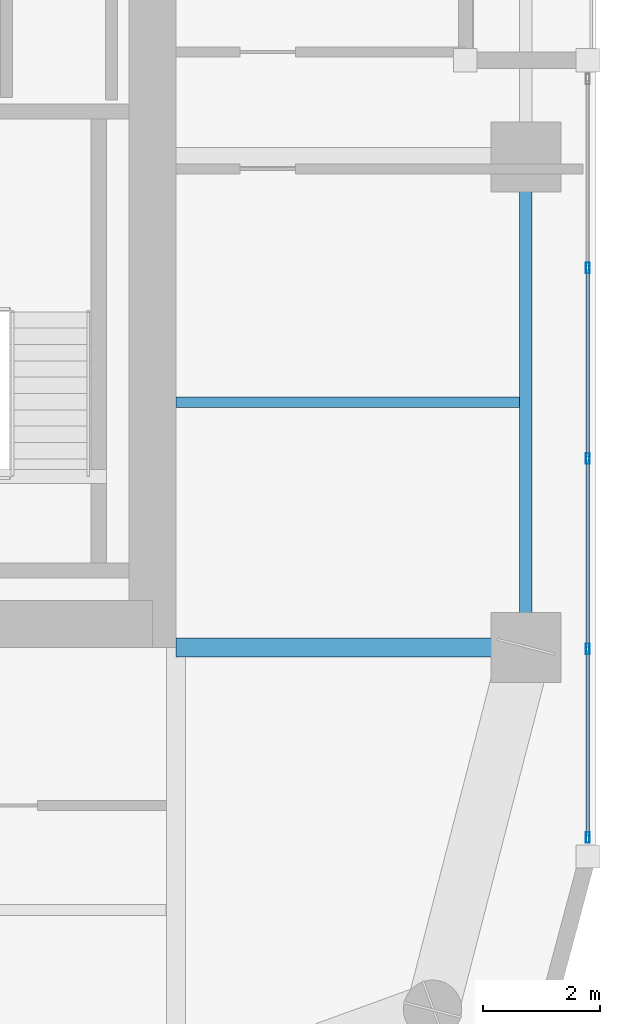
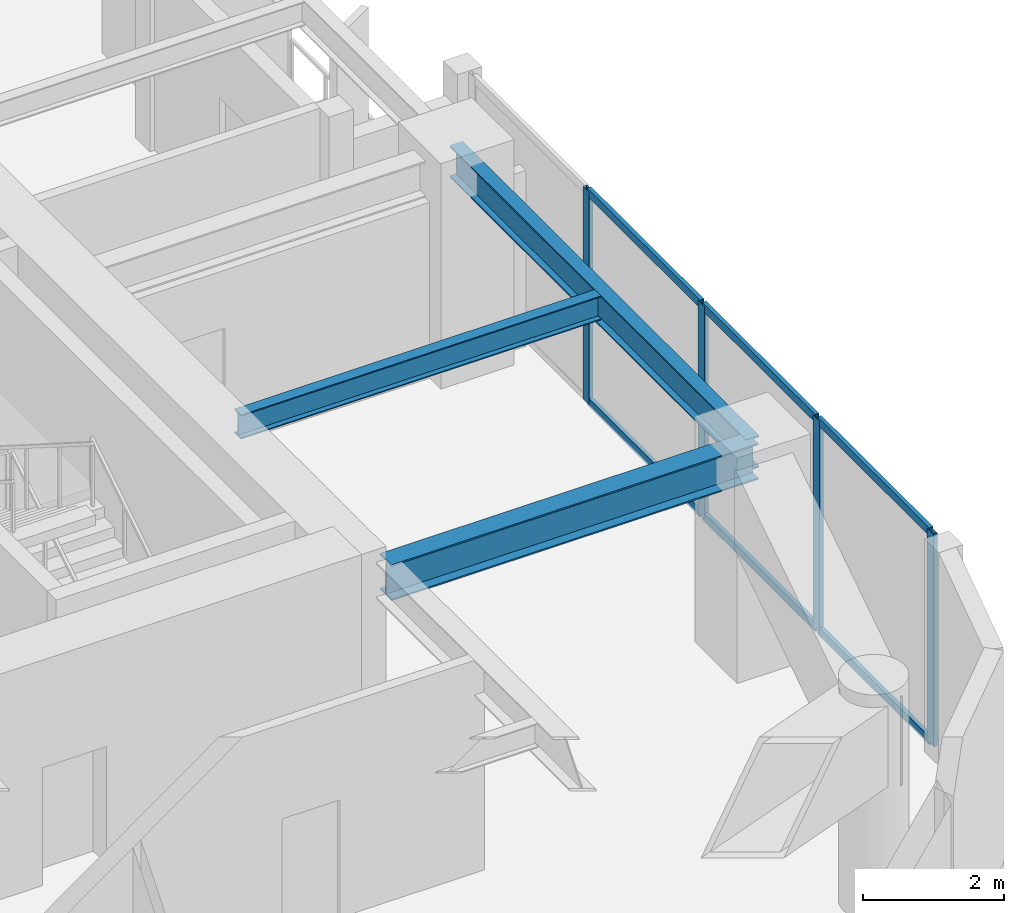
# One storey, part 9 of 30: 10 members, 3 beams, 1 element without a shape of its own.
"""IFC4 building model written with IfcOpenShell, lengths in metres."""

from ifc_helpers import new_model, si_unit, direction, frame, origin, origin_2d, place, context, subcontext, project, spatial, hollow_rectangle, i_section, extrude, material, layer, layer_set, material_profile, profile_set, type_object, element, aggregate, save


model = new_model("IFC4")

# Units and contexts
model_context = context("Model", 3, precision=1e-05, world=origin(), true_north=direction((0.0, 1.0)))
body_context = subcontext(model_context, "Body", "Model", "MODEL_VIEW")
ifc_project = project(units=[si_unit("LENGTHUNIT", "METRE"), si_unit("AREAUNIT", "SQUARE_METRE"), si_unit("VOLUMEUNIT", "CUBIC_METRE"), si_unit("PLANEANGLEUNIT", "RADIAN"), si_unit("MASSUNIT", "GRAM", prefix="KILO")], contexts=[model_context])

# Site, building, storey
site_placement = place(None, origin())
site = spatial("IfcSite", under=ifc_project, at=site_placement, CompositionType="ELEMENT")
building_placement = place(site_placement, origin())
building = spatial("IfcBuilding", under=site, at=building_placement, Name="Kiyonajd Concourse Tower", CompositionType="ELEMENT")
storey_placement = place(building_placement, frame((0.0, 0.0, 162.300048828125)))
storey = spatial("IfcBuildingStorey", under=building, at=storey_placement, Name="L41", CompositionType="ELEMENT", Elevation=162.300048828125)

# Beams
ifc_material_1 = material(Name="Steel ASTM A992 Grade 50", Category="steel")
ifc_material_profile_1 = material_profile(ifc_material_1, i_section(OverallWidth=0.180908203125, OverallDepth=0.4169921875, WebThickness=0.010986328125, FlangeThickness=0.018310546875, at=origin_2d()), Name="W410X85")
ifc_profile_set_1 = profile_set([ifc_material_profile_1], Name="Steel ASTM A992 Grade 50")
beam_type_1 = type_object("IfcBeamType", Name="BM-JST-410", PredefinedType="JOIST", material=ifc_profile_set_1)
beam_1_placement = place(storey_placement, frame((63.60009765625, 31.800048828125, 3.471435546875), z_axis=(1.0, 0.0, 0.0), x_axis=(0.0, 1.0, 0.0)))
element("IfcBeam", 1, at=beam_1_placement, inside=storey, type_object=beam_type_1, Name="L41 East Secondary Floor Joist", PredefinedType="JOIST", context=body_context, shape_type="SweptSolid", body=[
    extrude(i_section(OverallWidth=0.180908203125, OverallDepth=0.4169921875, WebThickness=0.010986328125, FlangeThickness=0.018310546875, at=origin_2d()), origin(), (0.0, 0.0, 1.0), 5.892822265625),
])
ifc_material_profile_2 = material_profile(ifc_material_1, i_section(OverallWidth=0.214111328125, OverallDepth=0.549072265625, WebThickness=0.0146484375, FlangeThickness=0.023681640625, at=origin_2d()), Name="W530X138")
ifc_profile_set_2 = profile_set([ifc_material_profile_2], Name="Steel ASTM A992 Grade 50")
beam_type_2 = type_object("IfcBeamType", Name="BM-SPAN-530A", PredefinedType="SPANDREL", material=ifc_profile_set_2)
beam_2_placement = place(storey_placement, frame((69.60009765625, 27.60009765625, 3.405517578125), z_axis=(0.0, 1.0, 0.0), x_axis=(-1.0, 0.0, 0.0)))
element("IfcBeam", 2, at=beam_2_placement, inside=storey, type_object=beam_type_2, Name="L41 Perimeter Bundled Tube Spandrel", PredefinedType="SPANDREL", context=body_context, shape_type="SweptSolid", body=[
    extrude(i_section(OverallWidth=0.214111328125, OverallDepth=0.549072265625, WebThickness=0.0146484375, FlangeThickness=0.023681640625, at=origin_2d()), origin(), (0.0, 0.0, 1.0), 8.39990234375),
])
ifc_material_profile_3 = material_profile(ifc_material_1, i_section(OverallWidth=0.326904296875, OverallDepth=0.6220703125, WebThickness=0.015380859375, FlangeThickness=0.0244140625, at=origin_2d()), Name="W610X195")
ifc_profile_set_3 = profile_set([ifc_material_profile_3], Name="Steel ASTM A992 Grade 50")
beam_type_3 = type_object("IfcBeamType", Name="BM-TWR-610A", PredefinedType="BEAM", material=ifc_profile_set_3)
beam_3_placement = place(storey_placement, frame((63.60009765625, 27.60009765625, 3.368896484375), z_axis=(1.0, 0.0, 0.0), x_axis=(0.0, 1.0, 0.0)))
element("IfcBeam", 3, at=beam_3_placement, inside=storey, type_object=beam_type_3, Name="L41 East Lease Girder", PredefinedType="BEAM", context=body_context, shape_type="SweptSolid", body=[
    extrude(i_section(OverallWidth=0.326904296875, OverallDepth=0.6220703125, WebThickness=0.015380859375, FlangeThickness=0.0244140625, at=origin_2d()), origin(), (0.0, 0.0, 1.0), 6.0),
])

# Curtain wall, members
ifc_material_2 = material(Name="Thermally Broken Anodised Aluminium", Category="aluminium")
ifc_layer = layer(ifc_material_2, 0.179931640625)
ifc_layer_set = layer_set([ifc_layer], Name="Thermally Broken Anodised Aluminium")
curtain_wall_type = type_object("IfcCurtainWallType", Name="CW-SYS-03", PredefinedType="NOTDEFINED", material=ifc_layer_set)
curtain_wall_placement = place(storey_placement, origin())
curtain_wall = element("IfcCurtainWall", 4, at=curtain_wall_placement, inside=storey, type_object=curtain_wall_type, Name="L41 Unitised Curtain Wall CW3", PredefinedType="NOTDEFINED")
ifc_material_profile_4 = material_profile(ifc_material_2, hollow_rectangle(XDim=0.06494140625, YDim=0.179931640625, WallThickness=0.00390625, at=origin_2d()), Name="MULL-65x180")
ifc_profile_set_4 = profile_set([ifc_material_profile_4], Name="Thermally Broken Anodised Aluminium")
member_type_1 = type_object("IfcMemberType", Name="MB-CW-MULL1", PredefinedType="MULLION", material=ifc_profile_set_4)
member_1_placement = place(storey_placement, frame((70.659912109375, 34.1044921875, 0.0), z_axis=(0.0, 0.0, 1.0), x_axis=(1.0, 0.0, 0.0)))
member_1 = element("IfcMember", 5, at=member_1_placement, type_object=member_type_1, Name="CW3 mullion 2", PredefinedType="MULLION", context=body_context, shape_type="SweptSolid", body=[
    extrude(hollow_rectangle(XDim=0.06494140625, YDim=0.179931640625, WallThickness=0.00390625, at=origin_2d()), origin(), (0.0, 0.0, 1.0), 3.679931640625),
])
member_2_placement = place(storey_placement, frame((70.659912109375, 30.839111328125, 0.0), z_axis=(0.0, 0.0, 1.0), x_axis=(1.0, 0.0, 0.0)))
member_2 = element("IfcMember", 6, at=member_2_placement, type_object=member_type_1, Name="CW3 mullion 3", PredefinedType="MULLION", context=body_context, shape_type="SweptSolid", body=[
    extrude(hollow_rectangle(XDim=0.06494140625, YDim=0.179931640625, WallThickness=0.00390625, at=origin_2d()), origin(), (0.0, 0.0, 1.0), 3.679931640625),
])
member_3_placement = place(storey_placement, frame((70.659912109375, 27.57373046875, 0.0), z_axis=(0.0, 0.0, 1.0), x_axis=(1.0, 0.0, 0.0)))
member_3 = element("IfcMember", 7, at=member_3_placement, type_object=member_type_1, Name="CW3 mullion 4", PredefinedType="MULLION", context=body_context, shape_type="SweptSolid", body=[
    extrude(hollow_rectangle(XDim=0.06494140625, YDim=0.179931640625, WallThickness=0.00390625, at=origin_2d()), origin(), (0.0, 0.0, 1.0), 3.679931640625),
])
member_4_placement = place(storey_placement, frame((70.659912109375, 24.3408203125, 0.0), z_axis=(0.0, 0.0, 1.0), x_axis=(1.0, 0.0, 0.0)))
member_4 = element("IfcMember", 8, at=member_4_placement, type_object=member_type_1, Name="CW3 mullion 5", PredefinedType="MULLION", context=body_context, shape_type="SweptSolid", body=[
    extrude(hollow_rectangle(XDim=0.06494140625, YDim=0.179931640625, WallThickness=0.00390625, at=origin_2d()), origin(), (0.0, 0.0, 1.0), 3.679931640625),
])
ifc_material_profile_5 = material_profile(ifc_material_2, hollow_rectangle(XDim=0.06494140625, YDim=0.139892578125, WallThickness=0.00390625, at=origin_2d()), Name="TRAN-65x140")
ifc_profile_set_5 = profile_set([ifc_material_profile_5], Name="Thermally Broken Anodised Aluminium")
member_type_2 = type_object("IfcMemberType", Name="MB-CW-TRAN1", PredefinedType="USERDEFINED", material=ifc_profile_set_5)
member_5_placement = place(storey_placement, frame((70.659912109375, 34.072021484375, 0.032470703125), z_axis=(0.0, -1.0, 0.0), x_axis=(1.0, 0.0, 0.0)))
member_5 = element("IfcMember", 9, at=member_5_placement, type_object=member_type_2, Name="CW3 transom 2.1", ObjectType="TRANSOM", PredefinedType="USERDEFINED", context=body_context, shape_type="SweptSolid", body=[
    extrude(hollow_rectangle(XDim=0.06494140625, YDim=0.139892578125, WallThickness=0.00390625, at=origin_2d()), origin(), (0.0, 0.0, 1.0), 3.200439453125),
])
member_6_placement = place(storey_placement, frame((70.659912109375, 34.072021484375, 3.6474609375), z_axis=(0.0, -1.0, 0.0), x_axis=(1.0, 0.0, 0.0)))
member_6 = element("IfcMember", 10, at=member_6_placement, type_object=member_type_2, Name="CW3 transom 2.2", ObjectType="TRANSOM", PredefinedType="USERDEFINED", context=body_context, shape_type="SweptSolid", body=[
    extrude(hollow_rectangle(XDim=0.06494140625, YDim=0.139892578125, WallThickness=0.00390625, at=origin_2d()), origin(), (0.0, 0.0, 1.0), 3.200439453125),
])
member_7_placement = place(storey_placement, frame((70.659912109375, 30.806640625, 0.032470703125), z_axis=(0.0, -1.0, 0.0), x_axis=(1.0, 0.0, 0.0)))
member_7 = element("IfcMember", 11, at=member_7_placement, type_object=member_type_2, Name="CW3 transom 3.1", ObjectType="TRANSOM", PredefinedType="USERDEFINED", context=body_context, shape_type="SweptSolid", body=[
    extrude(hollow_rectangle(XDim=0.06494140625, YDim=0.139892578125, WallThickness=0.00390625, at=origin_2d()), origin(), (0.0, 0.0, 1.0), 3.200439453125),
])
member_8_placement = place(storey_placement, frame((70.659912109375, 30.806640625, 3.6474609375), z_axis=(0.0, -1.0, 0.0), x_axis=(1.0, 0.0, 0.0)))
member_8 = element("IfcMember", 12, at=member_8_placement, type_object=member_type_2, Name="CW3 transom 3.2", ObjectType="TRANSOM", PredefinedType="USERDEFINED", context=body_context, shape_type="SweptSolid", body=[
    extrude(hollow_rectangle(XDim=0.06494140625, YDim=0.139892578125, WallThickness=0.00390625, at=origin_2d()), origin(), (0.0, 0.0, 1.0), 3.200439453125),
])
member_9_placement = place(storey_placement, frame((70.659912109375, 27.541259765625, 0.032470703125), z_axis=(0.0, -1.0, 0.0), x_axis=(1.0, 0.0, 0.0)))
member_9 = element("IfcMember", 13, at=member_9_placement, type_object=member_type_2, Name="CW3 transom 4.1", ObjectType="TRANSOM", PredefinedType="USERDEFINED", context=body_context, shape_type="SweptSolid", body=[
    extrude(hollow_rectangle(XDim=0.06494140625, YDim=0.139892578125, WallThickness=0.00390625, at=origin_2d()), origin(), (0.0, 0.0, 1.0), 3.16796875),
])
member_10_placement = place(storey_placement, frame((70.659912109375, 27.541259765625, 3.6474609375), z_axis=(0.0, -1.0, 0.0), x_axis=(1.0, 0.0, 0.0)))
member_10 = element("IfcMember", 14, at=member_10_placement, type_object=member_type_2, Name="CW3 transom 4.2", ObjectType="TRANSOM", PredefinedType="USERDEFINED", context=body_context, shape_type="SweptSolid", body=[
    extrude(hollow_rectangle(XDim=0.06494140625, YDim=0.139892578125, WallThickness=0.00390625, at=origin_2d()), origin(), (0.0, 0.0, 1.0), 3.16796875),
])
aggregate(curtain_wall, [member_1, member_2, member_3, member_4, member_5, member_6, member_7, member_8, member_9, member_10])

save(model, "model.ifc")
